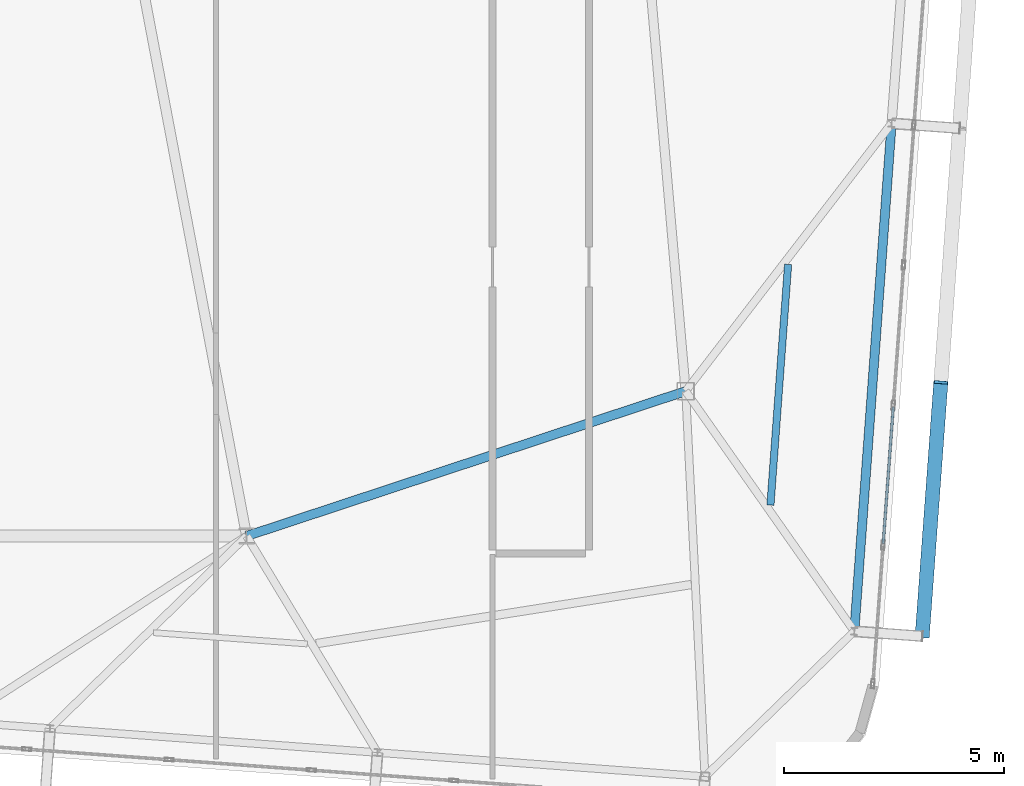
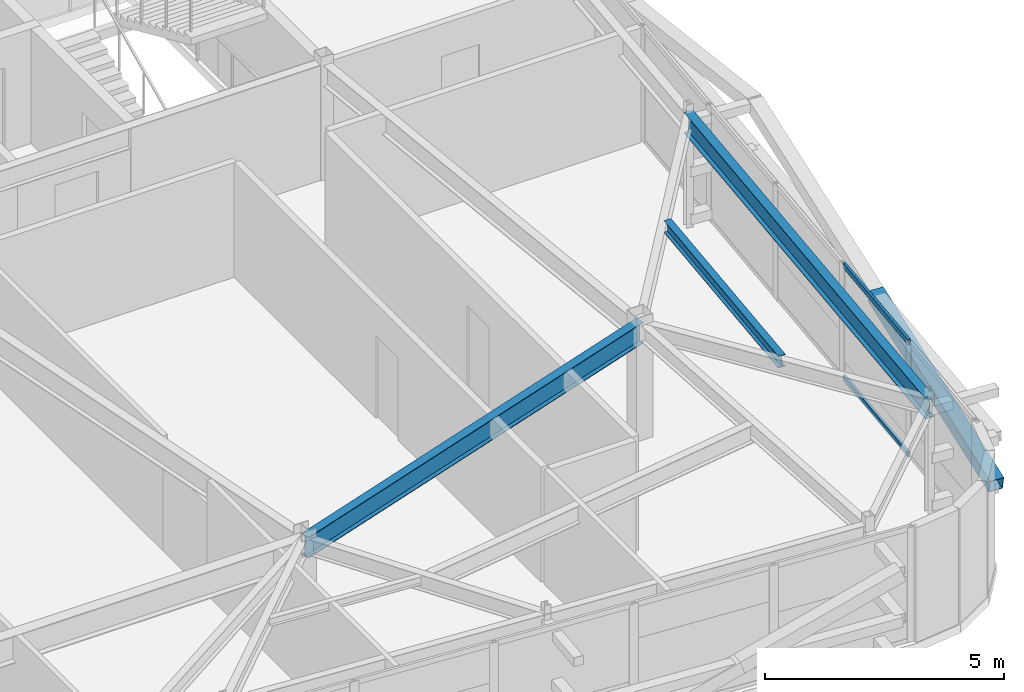
# One storey, part 20 of 42: 3 beams, 3 members, 1 element without a shape of its own.
"""IFC4 building model written with IfcOpenShell, lengths in metres."""

from ifc_helpers import new_model, si_unit, direction, frame, origin, origin_2d, place, context, subcontext, project, spatial, hollow_rectangle, i_section, extrude, source, transform, mapped, material, layer, layer_set, material_profile, profile_set, type_object, element, aggregate, save


model = new_model("IFC4")

# Units and contexts
model_context = context("Model", 3, precision=1e-05, world=origin(), true_north=direction((0.0, 1.0)))
body_context = subcontext(model_context, "Body", "Model", "MODEL_VIEW")
ifc_project = project(units=[si_unit("LENGTHUNIT", "METRE"), si_unit("AREAUNIT", "SQUARE_METRE"), si_unit("VOLUMEUNIT", "CUBIC_METRE"), si_unit("PLANEANGLEUNIT", "RADIAN"), si_unit("MASSUNIT", "GRAM", prefix="KILO")], contexts=[model_context])

# Site, building, storey
site_placement = place(None, origin())
site = spatial("IfcSite", under=ifc_project, at=site_placement, CompositionType="ELEMENT")
building_placement = place(site_placement, origin())
building = spatial("IfcBuilding", under=site, at=building_placement, Name="Taldren Reach Tower", CompositionType="ELEMENT")
storey_placement = place(building_placement, frame((0.0, 0.0, 224.0)))
storey = spatial("IfcBuildingStorey", under=building, at=storey_placement, Name="L68", CompositionType="ELEMENT", Elevation=224.0)

# Beams
ifc_material_1 = material(Name="Steel Gr 350 (350PLUS)", Category="steel")
ifc_material_profile_1 = material_profile(ifc_material_1, i_section(OverallWidth=0.208984375, OverallDepth=0.532958984375, WebThickness=0.01025390625, FlangeThickness=0.015625, at=origin_2d()), Name="530UB92.4")
ifc_profile_set_1 = profile_set([ifc_material_profile_1], Name="Steel Gr 350 (350PLUS)")
beam_type_1 = type_object("IfcBeamType", Name="BM-UB530A", PredefinedType="BEAM", material=ifc_profile_set_1)
shared_shape_1 = source(origin(), body_context, "Body", "SweptSolid", [
    extrude(i_section(OverallWidth=0.208984375, OverallDepth=0.532958984375, WebThickness=0.01025390625, FlangeThickness=0.015625, at=origin_2d()), origin(), (0.0, 0.0, 1.0), 10.530517578125),
])
beam_1_placement = place(storey_placement, frame((42.0, 9.199951171875, 2.66357421875), z_axis=(0.949627269203, 0.313381635689, 0.0), x_axis=(-0.313381635689, 0.949627269203, 0.0)))
element("IfcBeam", 1, at=beam_1_placement, inside=storey, type_object=beam_type_1, Name="Core-spine girder L68-SP12", PredefinedType="BEAM", context=body_context, shape_type="MappedRepresentation", body=[
    mapped(shared_shape_1, transform((0.0, 0.0, 0.0), scale=1.0)),
])
ifc_material_profile_2 = material_profile(ifc_material_1, i_section(OverallWidth=0.208984375, OverallDepth=0.528076171875, WebThickness=0.009521484375, FlangeThickness=0.01318359375, at=origin_2d()), Name="530UB82.0")
ifc_profile_set_2 = profile_set([ifc_material_profile_2], Name="Steel Gr 350 (350PLUS)")
beam_type_2 = type_object("IfcBeamType", Name="SP-UB530B", PredefinedType="SPANDREL", material=ifc_profile_set_2)
shared_shape_2 = source(origin(), body_context, "Body", "SweptSolid", [
    extrude(i_section(OverallWidth=0.208984375, OverallDepth=0.528076171875, WebThickness=0.009521484375, FlangeThickness=0.01318359375, at=origin_2d()), origin(), (0.0, 0.0, 1.0), 11.60009765625),
])
beam_2_placement = place(storey_placement, frame((55.841796875, 7.031005859375, 2.666015625), z_axis=(0.073242167855, 0.997314185625, 0.0), x_axis=(-0.997314185625, 0.073242167855, 0.0)))
element("IfcBeam", 2, at=beam_2_placement, inside=storey, type_object=beam_type_2, Name="Perimeter spandrel B5 E1-E2 L68", PredefinedType="SPANDREL", context=body_context, shape_type="MappedRepresentation", body=[
    mapped(shared_shape_2, transform((0.0, 0.0, 0.0), scale=1.0)),
])
ifc_material_2 = material(Name="Steel Gr 300 (300PLUS, 300 MPa)", Category="steel")
ifc_material_profile_3 = material_profile(ifc_material_2, i_section(OverallWidth=0.166015625, OverallDepth=0.306884765625, WebThickness=0.006591796875, FlangeThickness=0.01171875, at=origin_2d()), Name="310UB46.2")
ifc_profile_set_3 = profile_set([ifc_material_profile_3], Name="Steel Gr 300 (300PLUS, 300 MPa)")
beam_type_3 = type_object("IfcBeamType", Name="JS-UB310", PredefinedType="JOIST", material=ifc_profile_set_3)
shared_shape_3 = source(origin(), body_context, "Body", "SweptSolid", [
    extrude(i_section(OverallWidth=0.166015625, OverallDepth=0.306884765625, WebThickness=0.006591796875, FlangeThickness=0.01171875, at=origin_2d()), origin(), (0.0, 0.0, 1.0), 5.49755859375),
])
beam_3_placement = place(storey_placement, frame((53.93115234375, 9.905517578125, 2.776611328125), z_axis=(0.073228814191, 0.99731516622, 0.0), x_axis=(-0.99731516622, 0.073228814191, 0.0)))
element("IfcBeam", 3, at=beam_3_placement, inside=storey, type_object=beam_type_3, Name="Secondary floor joist B5 J7 L68", PredefinedType="JOIST", context=body_context, shape_type="MappedRepresentation", body=[
    mapped(shared_shape_3, transform((0.0, 0.0, 0.0), scale=1.0)),
])

# Member
ifc_material_3 = material(Name="Steel Gr 450 (C450L0)", Category="steel")
ifc_material_profile_4 = material_profile(ifc_material_3, hollow_rectangle(XDim=0.324951171875, YDim=0.324951171875, WallThickness=0.0126953125, at=origin_2d()), Name="325x325x12.7SHS")
ifc_profile_set_4 = profile_set([ifc_material_profile_4], Name="Steel Gr 450 (C450L0)")
member_type_1 = type_object("IfcMemberType", Name="MB-BR324", PredefinedType="BRACE", material=ifc_profile_set_4)
shared_shape_4 = source(origin(), body_context, "Body", "SweptSolid", [
    extrude(hollow_rectangle(XDim=0.324951171875, YDim=0.324951171875, WallThickness=0.0126953125, at=origin_2d()), origin(), (0.0, 0.0, 1.0), 5.92578125),
])
member_1_placement = place(storey_placement, frame((57.3876953125, 6.91748046875, 0.219970703125), z_axis=(0.071644948114, 0.976126368983, 0.205047099921), x_axis=(-0.997317259472, 0.073200300267, 0.0)))
element("IfcMember", 4, at=member_1_placement, inside=storey, type_object=member_type_1, Name="Exoskeleton Diagrid Brace B5-E1 L68", PredefinedType="BRACE", context=body_context, shape_type="MappedRepresentation", body=[
    mapped(shared_shape_4, transform((0.0, 0.0, 0.0), scale=1.0)),
])

# Curtain wall, members
ifc_material_4 = material(Name="Aluminium and Low-E Glass Unitised System", Category="aluminium")
ifc_layer = layer(ifc_material_4, 0.159912109375)
ifc_layer_set = layer_set([ifc_layer], Name="Aluminium and Low-E Glass Unitised System")
curtain_wall_type = type_object("IfcCurtainWallType", Name="CW-SYS-6", PredefinedType="NOTDEFINED", material=ifc_layer_set)
curtain_wall_placement = place(storey_placement, origin())
curtain_wall = element("IfcCurtainWall", 5, at=curtain_wall_placement, inside=storey, type_object=curtain_wall_type, Name="Unitised curtain wall CW-L68-E", PredefinedType="NOTDEFINED")
ifc_material_5 = material(Name="Anodised Aluminium 6063-T6", Category="aluminium")
ifc_material_profile_5 = material_profile(ifc_material_5, hollow_rectangle(XDim=0.06005859375, YDim=0.135009765625, WallThickness=0.00341796875, at=origin_2d()), Name="ALU-135x60x3.5RHS")
ifc_profile_set_5 = profile_set([ifc_material_profile_5], Name="Anodised Aluminium 6063-T6")
member_type_2 = type_object("IfcMemberType", Name="CW-TRN-150", PredefinedType="USERDEFINED", material=ifc_profile_set_5)
shared_shape_5 = source(origin(), body_context, "Body", "SweptSolid", [
    extrude(hollow_rectangle(XDim=0.06005859375, YDim=0.135009765625, WallThickness=0.00341796875, at=origin_2d()), origin(), (0.0, 0.0, 1.0), 3.124755859375),
])
member_2_placement = place(storey_placement, frame((56.49951171875, 9.025634765625, 0.030029296875), z_axis=(0.073284589347, 0.997311069308, 0.0), x_axis=(-0.997311069308, 0.073284589347, 0.0)))
member_2 = element("IfcMember", 6, at=member_2_placement, type_object=member_type_2, Name="CW-6 transom 2.1", ObjectType="TRANSOM", PredefinedType="USERDEFINED", context=body_context, shape_type="MappedRepresentation", body=[
    mapped(shared_shape_5, transform((0.0, 0.0, 0.0), scale=1.0)),
])
member_3_placement = place(storey_placement, frame((56.49951171875, 9.025634765625, 2.89990234375), z_axis=(0.073284589347, 0.997311069308, 0.0), x_axis=(-0.997311069308, 0.073284589347, 0.0)))
member_3 = element("IfcMember", 7, at=member_3_placement, type_object=member_type_2, Name="CW-6 transom 2.2", ObjectType="TRANSOM", PredefinedType="USERDEFINED", context=body_context, shape_type="MappedRepresentation", body=[
    mapped(shared_shape_5, transform((0.0, 0.0, 0.0), scale=1.0)),
])
aggregate(curtain_wall, [member_2, member_3])

save(model, "model.ifc")
